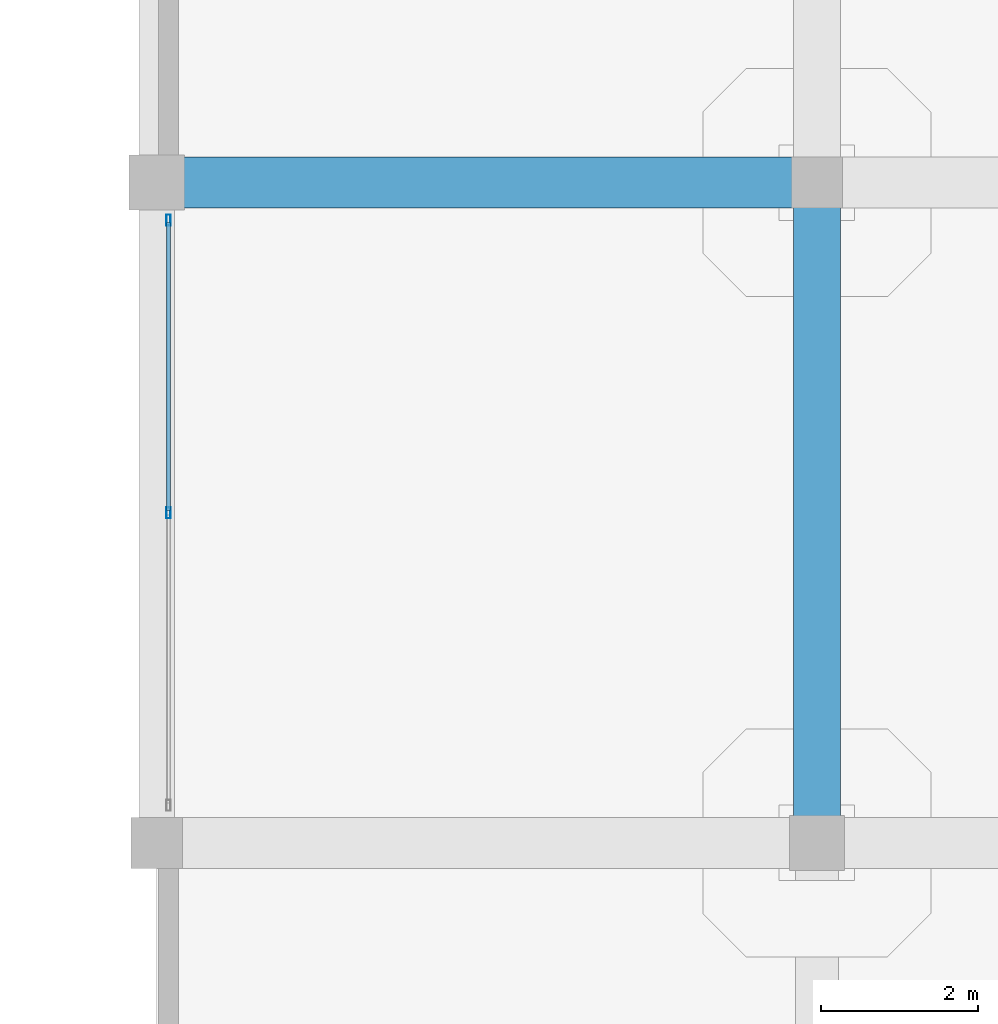
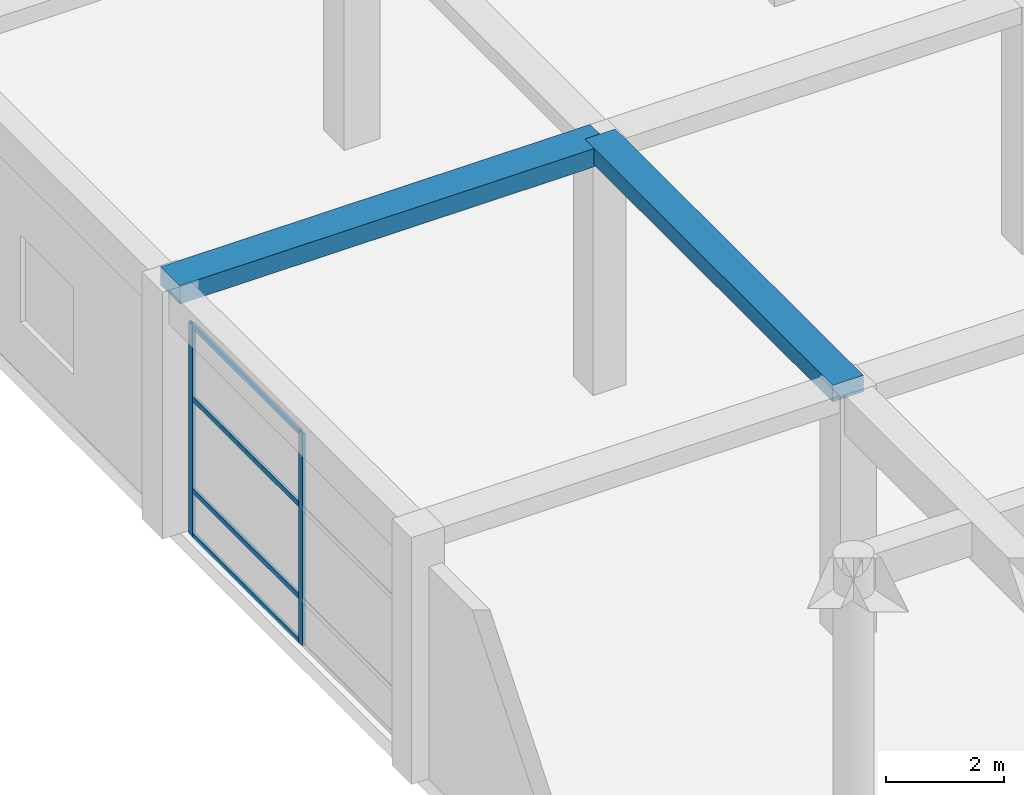
# One storey, part 17 of 95: 6 members, 2 beams, 1 element without a shape of its own.
"""IFC4 building model written with IfcOpenShell, lengths in metres."""

from ifc_helpers import new_model, si_unit, direction, frame, origin, origin_2d, place, context, subcontext, project, spatial, rectangle, hollow_rectangle, extrude, material, material_profile, profile_set, type_object, element, aggregate, save


model = new_model("IFC4")

# Units and contexts
model_context = context("Model", 3, precision=1e-05, world=origin(), true_north=direction((0.0, 1.0)))
body_context = subcontext(model_context, "Body", "Model", "MODEL_VIEW")
ifc_project = project(units=[si_unit("LENGTHUNIT", "METRE"), si_unit("AREAUNIT", "SQUARE_METRE"), si_unit("VOLUMEUNIT", "CUBIC_METRE"), si_unit("PLANEANGLEUNIT", "RADIAN"), si_unit("MASSUNIT", "GRAM", prefix="KILO")], contexts=[model_context])

# Site, building, storey
site_placement = place(None, origin())
site = spatial("IfcSite", under=ifc_project, at=site_placement, CompositionType="ELEMENT")
building_placement = place(site_placement, origin())
building = spatial("IfcBuilding", under=site, at=building_placement, Name="Almacenes y Pasaje Nevantli", CompositionType="ELEMENT")
storey_placement = place(building_placement, frame((0.0, 0.0, 11.39990234375)))
storey = spatial("IfcBuildingStorey", under=building, at=storey_placement, Name="L03", CompositionType="ELEMENT", Elevation=11.39990234375)

# Beams
ifc_material_1 = material(Name="Concrete C35/45", Category="concrete")
ifc_material_profile_1 = material_profile(ifc_material_1, rectangle(XDim=0.60009765625, YDim=0.340087890625, at=origin_2d()), Name="RC-BM-600x340")
ifc_profile_set_1 = profile_set([ifc_material_profile_1], Name="Concrete C35/45")
beam_type_1 = type_object("IfcBeamType", Name="BM-RC-600x340", PredefinedType="BEAM", material=ifc_profile_set_1)
beam_1_placement = place(storey_placement, frame((8.39990234375, 25.199951171875, 4.93017578125), z_axis=(0.0, 1.0, 0.0), x_axis=(-1.0, 0.0, 0.0)))
element("IfcBeam", 1, at=beam_1_placement, inside=storey, type_object=beam_type_1, Name="L03 North-South Reinforced Concrete Beam #2491", PredefinedType="BEAM", context=body_context, shape_type="SweptSolid", body=[
    extrude(rectangle(XDim=0.60009765625, YDim=0.340087890625, at=origin_2d()), origin(), (0.0, 0.0, 1.0), 8.400146484375),
])
ifc_material_2 = material(Name="Concrete C35/45", Category="concrete")
ifc_material_profile_2 = material_profile(ifc_material_2, rectangle(XDim=0.64990234375, YDim=0.3798828125, at=origin_2d()), Name="RC-BM-650x380")
ifc_profile_set_2 = profile_set([ifc_material_profile_2], Name="Concrete C35/45")
beam_type_2 = type_object("IfcBeamType", Name="BM-RC-650x380", PredefinedType="BEAM", material=ifc_profile_set_2)
beam_2_placement = place(storey_placement, frame((0.0, 33.60009765625, 4.91015625), z_axis=(1.0, 0.0, 0.0), x_axis=(0.0, 1.0, 0.0)))
element("IfcBeam", 2, at=beam_2_placement, inside=storey, type_object=beam_type_2, Name="L03 East-West Reinforced Concrete Beam #2299", PredefinedType="BEAM", context=body_context, shape_type="SweptSolid", body=[
    extrude(rectangle(XDim=0.64990234375, YDim=0.3798828125, at=origin_2d()), origin(), (0.0, 0.0, 1.0), 8.39990234375),
])

# Curtain wall, members
ifc_material_3 = material(Name="Thermally Broken Aluminium and Low-E Glass", Category="aluminium")
curtain_wall_type = type_object("IfcCurtainWallType", Name="CW-UNIT-PODIUM", PredefinedType="USERDEFINED", material=ifc_material_3)
curtain_wall_placement = place(storey_placement, origin())
curtain_wall = element("IfcCurtainWall", 3, at=curtain_wall_placement, inside=storey, type_object=curtain_wall_type, Name="L03 West Avenue Unitized Curtain Wall Bay 4", ObjectType="UNITIZED CURTAIN WALL", PredefinedType="USERDEFINED")
ifc_material_4 = material(Name="Thermally Broken Anodized Aluminium", Category="aluminium")
ifc_material_profile_3 = material_profile(ifc_material_4, hollow_rectangle(XDim=0.054931640625, YDim=0.139892578125, WallThickness=0.00341796875, at=origin_2d()), Name="ALU-MUL-55x140")
ifc_profile_set_3 = profile_set([ifc_material_profile_3], Name="Thermally Broken Anodized Aluminium")
member_type_1 = type_object("IfcMemberType", Name="CW-MUL-160", PredefinedType="MULLION", material=ifc_profile_set_3)
member_1_placement = place(storey_placement, frame((0.14990234375, 29.39990234375, 0.0), z_axis=(0.0, 0.0, 1.0), x_axis=(-1.0, 0.0, 0.0)))
member_1 = element("IfcMember", 4, at=member_1_placement, type_object=member_type_1, Name="CW-L03-048 mullion 2", PredefinedType="MULLION", context=body_context, shape_type="SweptSolid", body=[
    extrude(hollow_rectangle(XDim=0.054931640625, YDim=0.139892578125, WallThickness=0.00341796875, at=origin_2d()), origin(), (0.0, 0.0, 1.0), 4.380126953125),
])
member_2_placement = place(storey_placement, frame((0.14990234375, 33.12255859375, 0.0), z_axis=(0.0, 0.0, 1.0), x_axis=(-1.0, 0.0, 0.0)))
member_2 = element("IfcMember", 5, at=member_2_placement, type_object=member_type_1, Name="CW-L03-048 mullion 3", PredefinedType="MULLION", context=body_context, shape_type="SweptSolid", body=[
    extrude(hollow_rectangle(XDim=0.054931640625, YDim=0.139892578125, WallThickness=0.00341796875, at=origin_2d()), origin(), (0.0, 0.0, 1.0), 4.380126953125),
])
ifc_material_5 = material(Name="Thermally Broken Anodized Aluminium", Category="aluminium")
ifc_material_profile_4 = material_profile(ifc_material_5, hollow_rectangle(XDim=0.054931640625, YDim=0.10498046875, WallThickness=0.003173828125, at=origin_2d()), Name="ALU-TRN-55x105")
ifc_profile_set_4 = profile_set([ifc_material_profile_4], Name="Thermally Broken Anodized Aluminium")
member_type_2 = type_object("IfcMemberType", Name="CW-TRN-120", PredefinedType="USERDEFINED", material=ifc_profile_set_4)
member_3_placement = place(storey_placement, frame((0.14990234375, 29.427490234375, 0.027587890625), z_axis=(0.0, 1.0, 0.0), x_axis=(-1.0, 0.0, 0.0)))
member_3 = element("IfcMember", 6, at=member_3_placement, type_object=member_type_2, Name="CW-L03-048 transom 2.1", ObjectType="TRANSOM", PredefinedType="USERDEFINED", context=body_context, shape_type="SweptSolid", body=[
    extrude(hollow_rectangle(XDim=0.054931640625, YDim=0.10498046875, WallThickness=0.003173828125, at=origin_2d()), origin(), (0.0, 0.0, 1.0), 3.66748046875),
])
member_4_placement = place(storey_placement, frame((0.14990234375, 29.427490234375, 0.9501953125), z_axis=(0.0, 1.0, 0.0), x_axis=(-1.0, 0.0, 0.0)))
member_4 = element("IfcMember", 7, at=member_4_placement, type_object=member_type_2, Name="CW-L03-048 transom 2.2", ObjectType="TRANSOM", PredefinedType="USERDEFINED", context=body_context, shape_type="SweptSolid", body=[
    extrude(hollow_rectangle(XDim=0.054931640625, YDim=0.10498046875, WallThickness=0.003173828125, at=origin_2d()), origin(), (0.0, 0.0, 1.0), 3.66748046875),
])
member_5_placement = place(storey_placement, frame((0.14990234375, 29.427490234375, 2.85009765625), z_axis=(0.0, 1.0, 0.0), x_axis=(-1.0, 0.0, 0.0)))
member_5 = element("IfcMember", 8, at=member_5_placement, type_object=member_type_2, Name="CW-L03-048 transom 2.3", ObjectType="TRANSOM", PredefinedType="USERDEFINED", context=body_context, shape_type="SweptSolid", body=[
    extrude(hollow_rectangle(XDim=0.054931640625, YDim=0.10498046875, WallThickness=0.003173828125, at=origin_2d()), origin(), (0.0, 0.0, 1.0), 3.66748046875),
])
member_6_placement = place(storey_placement, frame((0.14990234375, 29.427490234375, 4.3525390625), z_axis=(0.0, 1.0, 0.0), x_axis=(-1.0, 0.0, 0.0)))
member_6 = element("IfcMember", 9, at=member_6_placement, type_object=member_type_2, Name="CW-L03-048 transom 2.4", ObjectType="TRANSOM", PredefinedType="USERDEFINED", context=body_context, shape_type="SweptSolid", body=[
    extrude(hollow_rectangle(XDim=0.054931640625, YDim=0.10498046875, WallThickness=0.003173828125, at=origin_2d()), origin(), (0.0, 0.0, 1.0), 3.66748046875),
])
aggregate(curtain_wall, [member_1, member_2, member_3, member_4, member_5, member_6])

save(model, "model.ifc")
